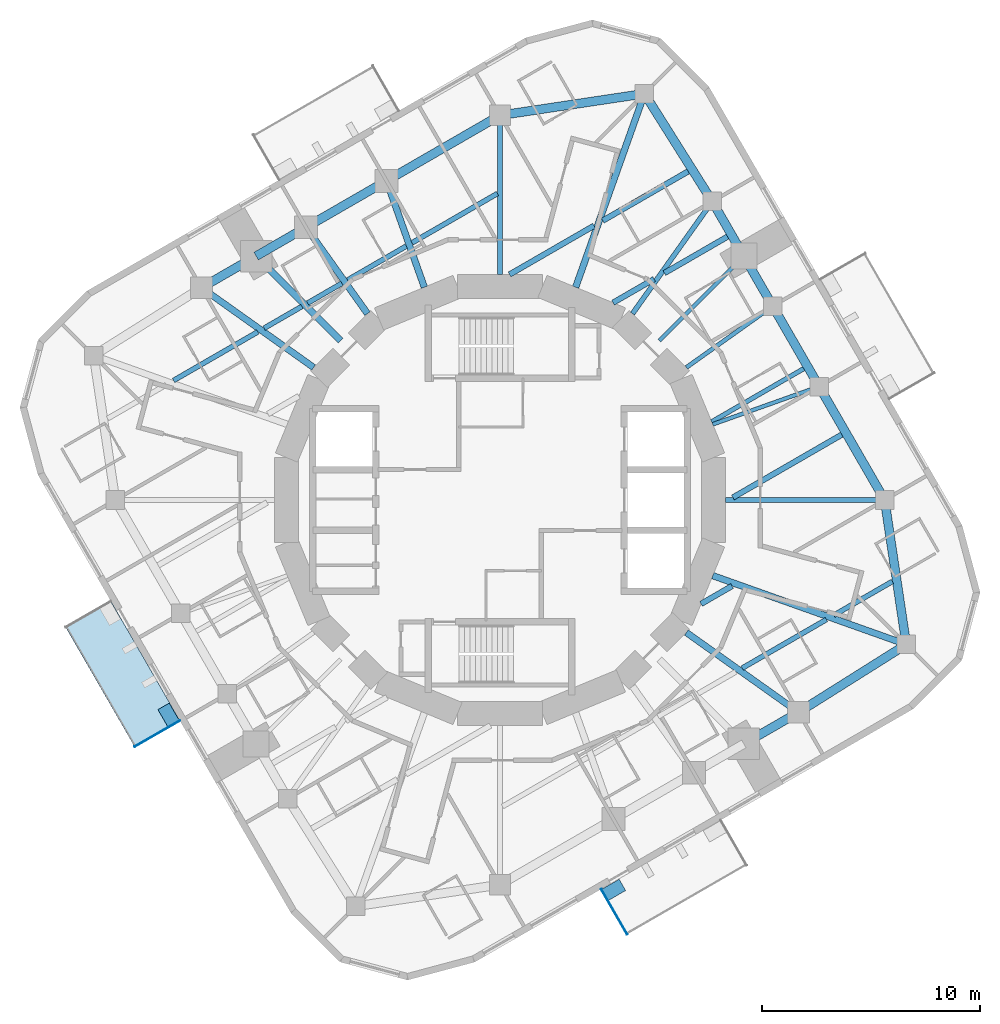
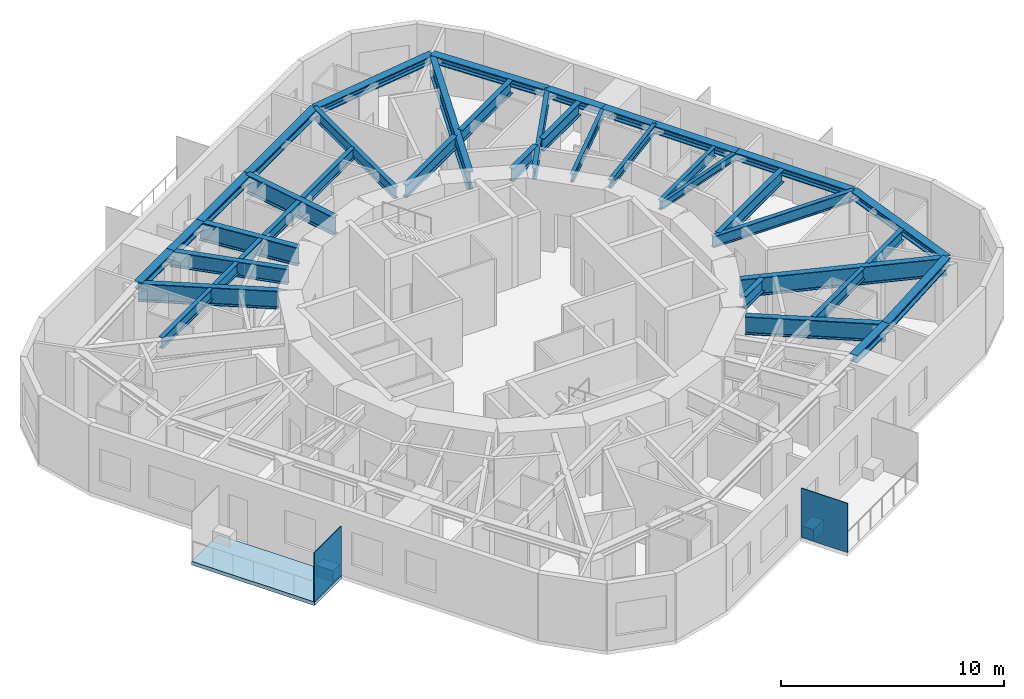
# One storey, part 2 of 11: 27 beams, 13 members, 4 plates, 1 slab.
"""IFC4 building model written with IfcOpenShell, lengths in metres."""

import ifcopenshell
import ifcopenshell.guid

model = None  # the IFC model being written
_history = None  # IfcOwnerHistory: only IFC2X3 demands one
_inside = {}  # id of a spatial element -> (the spatial element, [elements in it])
_under = {}  # id of a project, library or spatial element -> (it, [spatial elements below it])
_declared = {}  # id of a project -> (the project, [libraries it declares])
_typed = {}  # id of a type object -> (the type object, [elements of that type])
_made_of = {}  # id of a material, layer set ... -> (it, [elements and type objects made of it])


def new_model(schema):
    """Start an empty IFC model of exactly this schema.

    Asked for "IFC4X3", IfcOpenShell would pick the latest addendum, in which some entities
    have other attributes; the version numbers below select the first issue.
    IFC2X3 requires an IfcOwnerHistory on every rooted entity: one is made here for all.
    """
    global model, _history
    if schema == "IFC4X3":
        model = ifcopenshell.file(schema_version=(4, 3, 0, 0))
    else:
        model = ifcopenshell.file(schema=schema)
    _inside.clear()
    _under.clear()
    _declared.clear()
    _typed.clear()
    _made_of.clear()
    _history = None
    if model.schema == "IFC2X3":
        org = make("IfcOrganization", Name="unknown")
        user = make(
            "IfcPersonAndOrganization",
            ThePerson=make("IfcPerson", FamilyName="unknown"),
            TheOrganization=org,
        )
        app = make(
            "IfcApplication",
            ApplicationDeveloper=org,
            Version="unknown",
            ApplicationFullName="unknown",
            ApplicationIdentifier="unknown",
        )
        _history = make(
            "IfcOwnerHistory",
            OwningUser=user,
            OwningApplication=app,
            ChangeAction="ADDED",
            CreationDate=0,
        )
    return model


def make(cls, **values):
    """One entity of the class cls with the attributes given. An attribute that is None is left unset."""
    return model.create_entity(
        cls, **{name: value for name, value in values.items() if value is not None}
    )


def rooted(cls, **values):
    """An entity with a GlobalId (a new one), such as an element, a storey or a relation."""
    return make(cls, GlobalId=ifcopenshell.guid.new(), OwnerHistory=_history, **values)


def si_unit(unit_type, name, prefix=None):
    """IfcSIUnit, for example si_unit("LENGTHUNIT", "METRE", prefix="MILLI")."""
    return make("IfcSIUnit", UnitType=unit_type, Prefix=prefix, Name=name)


def assignment(units):
    """IfcUnitAssignment: the units of a project."""
    return None if units is None else make("IfcUnitAssignment", Units=units)


def point(xyz):
    """IfcCartesianPoint."""
    return None if xyz is None else make("IfcCartesianPoint", Coordinates=xyz)


def direction(xyz):
    """IfcDirection."""
    return None if xyz is None else make("IfcDirection", DirectionRatios=xyz)


def frame(location, z_axis=None, x_axis=None):
    """IfcAxis2Placement3D, a coordinate frame: its origin and axes. An axis left out is left unset."""
    return make(
        "IfcAxis2Placement3D",
        Location=point(location),
        Axis=direction(z_axis),
        RefDirection=direction(x_axis),
    )


def frame_2d(location, x_axis=None):
    """IfcAxis2Placement2D, a coordinate frame in the plane: its origin and x axis."""
    return make(
        "IfcAxis2Placement2D", Location=point(location), RefDirection=direction(x_axis)
    )


def origin():
    """The frame at (0, 0, 0) with its axes left unset."""
    return frame((0.0, 0.0, 0.0))


def origin_2d():
    """The frame at (0, 0) in the plane with its x axis left unset."""
    return frame_2d((0.0, 0.0))


def place(relative_to, where):
    """IfcLocalPlacement: puts the frame where relative to a parent placement (None: the world)."""
    return make(
        "IfcLocalPlacement", PlacementRelTo=relative_to, RelativePlacement=where
    )


def context(
    kind, dimensions, precision=None, world=None, true_north=None, identifier=None
):
    """IfcGeometricRepresentationContext, for example the 3D "Model" context."""
    return make(
        "IfcGeometricRepresentationContext",
        ContextIdentifier=identifier,
        ContextType=kind,
        CoordinateSpaceDimension=dimensions,
        Precision=precision,
        WorldCoordinateSystem=world,
        TrueNorth=true_north,
    )


def subcontext(parent, identifier, kind, view, scale=None):
    """IfcGeometricRepresentationSubContext, for example "Body" below "Model"."""
    return make(
        "IfcGeometricRepresentationSubContext",
        ContextIdentifier=identifier,
        ContextType=kind,
        ParentContext=parent,
        TargetScale=scale,
        TargetView=view,
    )


def project(units=None, contexts=None):
    """IfcProject with its units and contexts."""
    return rooted(
        "IfcProject",
        Name="project",
        RepresentationContexts=contexts,
        UnitsInContext=assignment(units),
    )


def spatial(cls, under=None, at=None, **own):
    """A site, building, storey or space (cls), placed at a placement, below another one or the project."""
    s = rooted(cls, ObjectPlacement=at, **own)
    if under is not None:
        _under.setdefault(under.id(), (under, []))[1].append(s)
    return s


def polyline(points):
    """IfcPolyline through the points."""
    return make("IfcPolyline", Points=[point(p) for p in points])


def profile(cls, at=None, kind="AREA", **sizes):
    """A parametric profile (cls). Its sizes go by their IFC names, for example OverallWidth=200.0."""
    return make(cls, ProfileType=kind, Position=at, **sizes)


def rectangle(**sizes):
    """IfcRectangleProfileDef."""
    return profile("IfcRectangleProfileDef", **sizes)


def i_section(**sizes):
    """IfcIShapeProfileDef."""
    return profile("IfcIShapeProfileDef", **sizes)


def outline(outer, holes=None, kind="AREA"):
    """IfcArbitraryClosedProfileDef: a profile drawn as a closed curve; with holes, ...WithVoids."""
    if holes is None:
        return make("IfcArbitraryClosedProfileDef", ProfileType=kind, OuterCurve=outer)
    return make(
        "IfcArbitraryProfileDefWithVoids",
        ProfileType=kind,
        OuterCurve=outer,
        InnerCurves=holes,
    )


def extrude(swept, where, along, depth):
    """IfcExtrudedAreaSolid: the profile swept, set in the frame where, extruded along a direction by depth."""
    return make(
        "IfcExtrudedAreaSolid",
        SweptArea=swept,
        Position=where,
        ExtrudedDirection=direction(along),
        Depth=depth,
    )


def shape(context_of_items, identifier, shape_type, items):
    """IfcShapeRepresentation: the items that make up one representation, for example the "Body"."""
    return make(
        "IfcShapeRepresentation",
        ContextOfItems=context_of_items,
        RepresentationIdentifier=identifier,
        RepresentationType=shape_type,
        Items=items,
    )


def material(Name=None, Category=None):
    """IfcMaterial."""
    return make("IfcMaterial", Name=Name, Category=Category)


def layer(
    of_material, thickness, ventilated=None, Name=None, Category=None, Priority=None
):
    """IfcMaterialLayer: one layer of a wall or slab, of a material (None: an air gap)."""
    return make(
        "IfcMaterialLayer",
        Material=of_material,
        LayerThickness=thickness,
        IsVentilated=ventilated,
        Name=Name,
        Category=Category,
        Priority=Priority,
    )


def layer_set(layers, Name=None):
    """IfcMaterialLayerSet."""
    return make("IfcMaterialLayerSet", MaterialLayers=layers, LayerSetName=Name)


def material_profile(
    of_material, cross_section, Name=None, Category=None, Priority=None
):
    """IfcMaterialProfile: a cross section and its material."""
    return make(
        "IfcMaterialProfile",
        Name=Name,
        Material=of_material,
        Profile=cross_section,
        Priority=Priority,
        Category=Category,
    )


def profile_set(profiles, Name=None, composite=None):
    """IfcMaterialProfileSet."""
    return make(
        "IfcMaterialProfileSet",
        Name=Name,
        MaterialProfiles=profiles,
        CompositeProfile=composite,
    )


def made_of(thing, what):
    """Note that an element or type object is made of a material, layer set ...; save() writes the relation."""
    if what is not None:
        _made_of.setdefault(what.id(), (what, []))[1].append(thing)
    return thing


def type_object(cls, material=None, **own):
    """A type object (cls), such as IfcWallType, which elements share."""
    return made_of(rooted(cls, **own), material)


def element(
    cls,
    number,
    at=None,
    inside=None,
    cuts=None,
    type_object=None,
    material=None,
    context=None,
    identifier="Body",
    shape_type=None,
    held_by="IfcProductDefinitionShape",
    body=None,
    shapes=None,
    **own,
):
    """One element of the class cls, such as IfcWall. Its Tag is "e" and its number.

    at: its placement. inside: the storey or other place that contains it. cuts: it is an
    opening in that element (IfcRelVoidsElement). A single representation is given by context,
    identifier, shape_type and body (its items); several are given by shapes. held_by: the class
    of the entity that holds the representations. save() writes the other relations.
    """
    e = rooted(cls, Tag="e%d" % number, ObjectPlacement=at, **own)
    if body is not None:
        shapes = [shape(context, identifier, shape_type, body)]
    if shapes is not None:
        e.Representation = make(held_by, Representations=shapes)
    if inside is not None:
        _inside.setdefault(inside.id(), (inside, []))[1].append(e)
    if cuts is not None:
        rooted(
            "IfcRelVoidsElement", RelatingBuildingElement=cuts, RelatedOpeningElement=e
        )
    if type_object is not None:
        _typed.setdefault(type_object.id(), (type_object, []))[1].append(e)
    return made_of(e, material)


def aggregate(whole, parts):
    """IfcRelAggregates: a whole, such as a stair, and the parts it consists of."""
    return rooted("IfcRelAggregates", RelatingObject=whole, RelatedObjects=parts)


def save(model, path):
    """Write the relations noted so far, then the file.

    IfcRelAggregates (storeys below a building ...), IfcRelContainedInSpatialStructure (elements
    in a storey), IfcRelDefinesByType, IfcRelAssociatesMaterial and IfcRelDeclares: one each for
    every whole, place, type object, material and project.
    """
    for whole, parts in _under.values():
        aggregate(whole, parts)
    for where, things in _inside.values():
        rooted(
            "IfcRelContainedInSpatialStructure",
            RelatedElements=things,
            RelatingStructure=where,
        )
    for kind, things in _typed.values():
        rooted("IfcRelDefinesByType", RelatedObjects=things, RelatingType=kind)
    for what, things in _made_of.values():
        rooted("IfcRelAssociatesMaterial", RelatedObjects=things, RelatingMaterial=what)
    for by, libraries in _declared.values():
        rooted("IfcRelDeclares", RelatingContext=by, RelatedDefinitions=libraries)
    model.write(path)


model = new_model("IFC4")

# Units and contexts
model_context = context("Model", 3, precision=1e-05, world=origin(), true_north=direction((0.0, 1.0)))
body_context = subcontext(model_context, "Body", "Model", "MODEL_VIEW")
ifc_project = project(units=[si_unit("LENGTHUNIT", "METRE"), si_unit("AREAUNIT", "SQUARE_METRE"), si_unit("VOLUMEUNIT", "CUBIC_METRE"), si_unit("PLANEANGLEUNIT", "RADIAN"), si_unit("MASSUNIT", "GRAM", prefix="KILO")], contexts=[model_context])

# Site, building, storey
site_placement = place(None, origin())
site = spatial("IfcSite", under=ifc_project, at=site_placement, CompositionType="ELEMENT")
building_placement = place(site_placement, origin())
building = spatial("IfcBuilding", under=site, at=building_placement, Name="Nakasero Lantern House", CompositionType="ELEMENT")
storey_placement = place(building_placement, frame((0.0, 0.0, 253.89990234375)))
storey = spatial("IfcBuildingStorey", under=building, at=storey_placement, Name="L62", CompositionType="ELEMENT", Elevation=253.89990234375)

# Members
ifc_material_1 = material(Name="Steel S355", Category="steel")
ifc_material_profile_1 = material_profile(ifc_material_1, i_section(OverallWidth=0.406982421875, OverallDepth=0.4189453125, WebThickness=0.030517578125, FlangeThickness=0.04931640625, FilletRadius=0.01513671875, at=origin_2d()), Name="UC 356x406x393")
ifc_profile_set_1 = profile_set([ifc_material_profile_1], Name="Steel S355")
member_type = type_object("IfcMemberType", Name="Belt truss chord UC 356x406x393", PredefinedType="CHORD", material=ifc_profile_set_1)
member_1_placement = place(storey_placement, frame((13.711669921875, -9.75048828125, 3.440673828125), z_axis=(0.846329027393, 0.532660471024, 0.0), x_axis=(-0.532660471024, 0.846329027393, 0.0)))
element("IfcMember", 1, at=member_1_placement, inside=storey, type_object=member_type, Name="Belt truss bottom chord T6 B6-C01", PredefinedType="CHORD", context=body_context, shape_type="SweptSolid", body=[
    extrude(i_section(OverallWidth=0.406982421875, OverallDepth=0.4189453125, WebThickness=0.030517578125, FlangeThickness=0.04931640625, FilletRadius=0.01513671875, at=origin_2d()), origin(), (0.0, 0.0, 1.0), 5.848388671875),
])
member_2_placement = place(storey_placement, frame((18.661376953125, -6.63525390625, 3.440673828125), z_axis=(-0.148208778253, 0.988956095107, 0.0), x_axis=(-0.988956095107, -0.148208778253, 0.0)))
element("IfcMember", 2, at=member_2_placement, inside=storey, type_object=member_type, Name="Belt truss bottom chord T6 B6-C02", PredefinedType="CHORD", context=body_context, shape_type="SweptSolid", body=[
    extrude(i_section(OverallWidth=0.406982421875, OverallDepth=0.4189453125, WebThickness=0.030517578125, FlangeThickness=0.04931640625, FilletRadius=0.01513671875, at=origin_2d()), origin(), (0.0, 0.0, 1.0), 6.70947265625),
])
member_3_placement = place(storey_placement, frame((17.6669921875, 0.0, 3.440673828125), z_axis=(-0.50000924366, 0.866020066889, 0.0), x_axis=(-0.866020066889, -0.50000924366, 0.0)))
element("IfcMember", 3, at=member_3_placement, inside=storey, type_object=member_type, Name="Belt truss bottom chord T6 B6-C03", PredefinedType="CHORD", context=body_context, shape_type="SweptSolid", body=[
    extrude(i_section(OverallWidth=0.406982421875, OverallDepth=0.4189453125, WebThickness=0.030517578125, FlangeThickness=0.04931640625, FilletRadius=0.01513671875, at=origin_2d()), origin(), (0.0, 0.0, 1.0), 6.01806640625),
])
member_4_placement = place(storey_placement, frame((14.657958984375, 5.211669921875, 3.440673828125), z_axis=(-0.500016352561, 0.866015962423, 0.0), x_axis=(-0.866015962423, -0.500016352561, 0.0)))
element("IfcMember", 4, at=member_4_placement, inside=storey, type_object=member_type, Name="Belt truss bottom chord T6 B6-C04", PredefinedType="CHORD", context=body_context, shape_type="SweptSolid", body=[
    extrude(i_section(OverallWidth=0.406982421875, OverallDepth=0.4189453125, WebThickness=0.030517578125, FlangeThickness=0.04931640625, FilletRadius=0.01513671875, at=origin_2d()), origin(), (0.0, 0.0, 1.0), 4.266357421875),
])
member_5_placement = place(storey_placement, frame((12.524658203125, 8.906494140625, 3.440673828125), z_axis=(-0.499945861543, 0.866056658381, 0.0), x_axis=(-0.866056658381, -0.499945861543, 0.0)))
element("IfcMember", 5, at=member_5_placement, inside=storey, type_object=member_type, Name="Belt truss bottom chord T6 B6-C05", PredefinedType="CHORD", context=body_context, shape_type="SweptSolid", body=[
    extrude(i_section(OverallWidth=0.406982421875, OverallDepth=0.4189453125, WebThickness=0.030517578125, FlangeThickness=0.04931640625, FilletRadius=0.01513671875, at=origin_2d()), origin(), (0.0, 0.0, 1.0), 2.648681640625),
])
member_6_placement = place(storey_placement, frame((11.200439453125, 11.200439453125, 3.440673828125), z_axis=(-0.500023687443, 0.866011727401, 0.0), x_axis=(-0.866011727401, -0.500023687443, 0.0)))
element("IfcMember", 6, at=member_6_placement, inside=storey, type_object=member_type, Name="Belt truss bottom chord T6 B6-C06", PredefinedType="CHORD", context=body_context, shape_type="SweptSolid", body=[
    extrude(i_section(OverallWidth=0.406982421875, OverallDepth=0.4189453125, WebThickness=0.030517578125, FlangeThickness=0.04931640625, FilletRadius=0.01513671875, at=origin_2d()), origin(), (0.0, 0.0, 1.0), 2.899658203125),
])
member_7_placement = place(storey_placement, frame((9.75048828125, 13.711669921875, 3.440673828125), z_axis=(-0.532660471024, 0.846329027393, 0.0), x_axis=(-0.846329027393, -0.532660471024, 0.0)))
element("IfcMember", 7, at=member_7_placement, inside=storey, type_object=member_type, Name="Belt truss bottom chord T6 B6-C07", PredefinedType="CHORD", context=body_context, shape_type="SweptSolid", body=[
    extrude(i_section(OverallWidth=0.406982421875, OverallDepth=0.4189453125, WebThickness=0.030517578125, FlangeThickness=0.04931640625, FilletRadius=0.01513671875, at=origin_2d()), origin(), (0.0, 0.0, 1.0), 5.848388671875),
])
member_8_placement = place(storey_placement, frame((6.63525390625, 18.661376953125, 3.440673828125), z_axis=(-0.988956095107, -0.148208778253, 0.0), x_axis=(0.148208778253, -0.988956095107, 0.0)))
element("IfcMember", 8, at=member_8_placement, inside=storey, type_object=member_type, Name="Belt truss bottom chord T6 B6-C08", PredefinedType="CHORD", context=body_context, shape_type="SweptSolid", body=[
    extrude(i_section(OverallWidth=0.406982421875, OverallDepth=0.4189453125, WebThickness=0.030517578125, FlangeThickness=0.04931640625, FilletRadius=0.01513671875, at=origin_2d()), origin(), (0.0, 0.0, 1.0), 6.70947265625),
])
member_9_placement = place(storey_placement, frame((0.0, 17.6669921875, 3.440673828125), z_axis=(-0.866020066889, -0.50000924366, 0.0), x_axis=(0.50000924366, -0.866020066889, 0.0)))
element("IfcMember", 9, at=member_9_placement, inside=storey, type_object=member_type, Name="Belt truss bottom chord T6 B6-C09", PredefinedType="CHORD", context=body_context, shape_type="SweptSolid", body=[
    extrude(i_section(OverallWidth=0.406982421875, OverallDepth=0.4189453125, WebThickness=0.030517578125, FlangeThickness=0.04931640625, FilletRadius=0.01513671875, at=origin_2d()), origin(), (0.0, 0.0, 1.0), 6.01806640625),
])
member_10_placement = place(storey_placement, frame((-5.211669921875, 14.657958984375, 3.440673828125), z_axis=(-0.866015962423, -0.500016352561, 0.0), x_axis=(0.500016352561, -0.866015962423, 0.0)))
element("IfcMember", 10, at=member_10_placement, inside=storey, type_object=member_type, Name="Belt truss bottom chord T6 B6-C10", PredefinedType="CHORD", context=body_context, shape_type="SweptSolid", body=[
    extrude(i_section(OverallWidth=0.406982421875, OverallDepth=0.4189453125, WebThickness=0.030517578125, FlangeThickness=0.04931640625, FilletRadius=0.01513671875, at=origin_2d()), origin(), (0.0, 0.0, 1.0), 4.266357421875),
])
member_11_placement = place(storey_placement, frame((-8.906494140625, 12.524658203125, 3.440673828125), z_axis=(-0.866056658381, -0.499945861543, 0.0), x_axis=(0.499945861543, -0.866056658381, 0.0)))
element("IfcMember", 11, at=member_11_placement, inside=storey, type_object=member_type, Name="Belt truss bottom chord T6 B6-C11", PredefinedType="CHORD", context=body_context, shape_type="SweptSolid", body=[
    extrude(i_section(OverallWidth=0.406982421875, OverallDepth=0.4189453125, WebThickness=0.030517578125, FlangeThickness=0.04931640625, FilletRadius=0.01513671875, at=origin_2d()), origin(), (0.0, 0.0, 1.0), 2.648681640625),
])
for number, where, z_axis, x_axis, name in (
    (12, (-11.200439453125, 11.200439453125, 3.440673828125), (-0.866011727401, -0.500023687443, 0.0), (0.500023687443, -0.866011727401, 0.0), "Belt truss bottom chord T6 B6-C12"),
    (13, (11.200439453125, -11.200439453125, 3.440673828125), (0.866011727401, 0.500023687443, 0.0), (-0.500023687443, 0.866011727401, 0.0), "Belt truss bottom chord T6 B6-C24"),
):
    element("IfcMember", number, at=place(storey_placement, frame(where, z_axis=z_axis, x_axis=x_axis)), inside=storey, type_object=member_type, Name=name, PredefinedType="CHORD", context=body_context, shape_type="SweptSolid", body=[
        extrude(i_section(OverallWidth=0.406982421875, OverallDepth=0.4189453125, WebThickness=0.030517578125, FlangeThickness=0.04931640625, FilletRadius=0.01513671875, at=origin_2d()), origin(), (0.0, 0.0, 1.0), 2.899658203125),
    ])

# Beams
ifc_material_2 = material(Name="Steel S355", Category="steel")
ifc_material_profile_2 = material_profile(ifc_material_2, i_section(OverallWidth=0.208740234375, OverallDepth=0.5283203125, WebThickness=0.009521484375, FlangeThickness=0.01318359375, FilletRadius=0.0126953125, at=origin_2d()), Name="UB 533x210x82")
ifc_profile_set_2 = profile_set([ifc_material_profile_2], Name="Steel S355")
beam_type_1 = type_object("IfcBeamType", Name="Infill beam UB 533x210x82", PredefinedType="JOIST", material=ifc_profile_set_2)
beam_1_placement = place(storey_placement, frame((9.72314453125, 3.5927734375, 3.385986328125), z_axis=(0.866011447264, 0.500024172624, 0.0), x_axis=(-0.500024172624, 0.866011447264, 0.0)))
element("IfcBeam", 14, at=beam_1_placement, inside=storey, type_object=beam_type_1, Name="Infill beam L63 06.1", PredefinedType="JOIST", context=body_context, shape_type="SweptSolid", body=[
    extrude(i_section(OverallWidth=0.208740234375, OverallDepth=0.5283203125, WebThickness=0.009521484375, FlangeThickness=0.01318359375, FilletRadius=0.0126953125, at=origin_2d()), origin(), (0.0, 0.0, 1.0), 4.879638671875),
])
ifc_material_3 = material(Name="Steel S355", Category="steel")
ifc_material_profile_3 = material_profile(ifc_material_3, i_section(OverallWidth=0.22900390625, OverallDepth=0.6123046875, WebThickness=0.011962890625, FlangeThickness=0.01953125, FilletRadius=0.0126953125, at=origin_2d()), Name="UB 610x229x125")
ifc_profile_set_3 = profile_set([ifc_material_profile_3], Name="Steel S355")
beam_type_2 = type_object("IfcBeamType", Name="Infill beam UB 610x229x125", PredefinedType="JOIST", material=ifc_profile_set_3)
beam_2_placement = place(storey_placement, frame((11.12109375, -7.724365234375, 3.343994140625), z_axis=(0.86600911045, 0.500028219822, 0.0), x_axis=(-0.500028219822, 0.86600911045, 0.0)))
element("IfcBeam", 15, at=beam_2_placement, inside=storey, type_object=beam_type_2, Name="Infill beam L63 03.5", PredefinedType="JOIST", context=body_context, shape_type="SweptSolid", body=[
    extrude(i_section(OverallWidth=0.22900390625, OverallDepth=0.6123046875, WebThickness=0.011962890625, FlangeThickness=0.01953125, FilletRadius=0.0126953125, at=origin_2d()), origin(), (0.0, 0.0, 1.0), 4.469482421875),
])
beam_3_placement = place(storey_placement, frame((15.3330078125, -5.29248046875, 3.343994140625), z_axis=(0.866037611359, 0.499978855264, 0.0), x_axis=(-0.499978855264, 0.866037611359, 0.0)))
element("IfcBeam", 16, at=beam_3_placement, inside=storey, type_object=beam_type_2, Name="Infill beam L63 03.6", PredefinedType="JOIST", context=body_context, shape_type="SweptSolid", body=[
    extrude(i_section(OverallWidth=0.22900390625, OverallDepth=0.6123046875, WebThickness=0.011962890625, FlangeThickness=0.01953125, FilletRadius=0.0126953125, at=origin_2d()), origin(), (0.0, 0.0, 1.0), 3.104736328125),
])
beam_4_placement = place(storey_placement, frame((-14.99169921875, 5.489501953125, 3.343994140625), z_axis=(0.86600911045, 0.500028219822, 0.0), x_axis=(-0.500028219822, 0.86600911045, 0.0)))
element("IfcBeam", 17, at=beam_4_placement, inside=storey, type_object=beam_type_2, Name="Infill beam L63 10.2", PredefinedType="JOIST", context=body_context, shape_type="SweptSolid", body=[
    extrude(i_section(OverallWidth=0.22900390625, OverallDepth=0.6123046875, WebThickness=0.011962890625, FlangeThickness=0.01953125, FilletRadius=0.0126953125, at=origin_2d()), origin(), (0.0, 0.0, 1.0), 4.469482421875),
])
beam_5_placement = place(storey_placement, frame((-10.83544921875, 7.88916015625, 3.343994140625), z_axis=(0.866039626416, 0.499975364871, 0.0), x_axis=(-0.499975364871, 0.866039626416, 0.0)))
element("IfcBeam", 18, at=beam_5_placement, inside=storey, type_object=beam_type_2, Name="Infill beam L63 10.3", PredefinedType="JOIST", context=body_context, shape_type="SweptSolid", body=[
    extrude(i_section(OverallWidth=0.22900390625, OverallDepth=0.6123046875, WebThickness=0.011962890625, FlangeThickness=0.01953125, FilletRadius=0.0126953125, at=origin_2d()), origin(), (0.0, 0.0, 1.0), 2.00537109375),
])
beam_6_placement = place(storey_placement, frame((-8.83642578125, 9.043212890625, 3.343994140625), z_axis=(0.865977542148, 0.500082889625, 0.0), x_axis=(-0.500082889625, 0.865977542148, 0.0)))
element("IfcBeam", 19, at=beam_6_placement, inside=storey, type_object=beam_type_2, Name="Infill beam L63 10.4", PredefinedType="JOIST", context=body_context, shape_type="SweptSolid", body=[
    extrude(i_section(OverallWidth=0.22900390625, OverallDepth=0.6123046875, WebThickness=0.011962890625, FlangeThickness=0.01953125, FilletRadius=0.0126953125, at=origin_2d()), origin(), (0.0, 0.0, 1.0), 1.817626953125),
])
beam_7_placement = place(storey_placement, frame((-6.999755859375, 10.103759765625, 3.343994140625), z_axis=(0.866018346476, 0.500012223418, 0.0), x_axis=(-0.500012223418, 0.866018346476, 0.0)))
element("IfcBeam", 20, at=beam_7_placement, inside=storey, type_object=beam_type_2, Name="Infill beam L63 10.5", PredefinedType="JOIST", context=body_context, shape_type="SweptSolid", body=[
    extrude(i_section(OverallWidth=0.22900390625, OverallDepth=0.6123046875, WebThickness=0.011962890625, FlangeThickness=0.01953125, FilletRadius=0.0126953125, at=origin_2d()), origin(), (0.0, 0.0, 1.0), 3.11181640625),
])
beam_8_placement = place(storey_placement, frame((-4.040771484375, 11.812255859375, 3.343994140625), z_axis=(0.866047486323, 0.49996174997, 0.0), x_axis=(-0.49996174997, 0.866047486323, 0.0)))
element("IfcBeam", 21, at=beam_8_placement, inside=storey, type_object=beam_type_2, Name="Infill beam L63 10.6", PredefinedType="JOIST", context=body_context, shape_type="SweptSolid", body=[
    extrude(i_section(OverallWidth=0.22900390625, OverallDepth=0.6123046875, WebThickness=0.011962890625, FlangeThickness=0.01953125, FilletRadius=0.0126953125, at=origin_2d()), origin(), (0.0, 0.0, 1.0), 4.533447265625),
])
ifc_material_4 = material(Name="Steel S355", Category="steel")
ifc_material_profile_4 = material_profile(ifc_material_4, i_section(OverallWidth=0.255859375, OverallDepth=0.69287109375, WebThickness=0.014404296875, FlangeThickness=0.023681640625, FilletRadius=0.01513671875, at=origin_2d()), Name="UB 686x254x170")
ifc_profile_set_4 = profile_set([ifc_material_profile_4], Name="Steel S355")
beam_type_3 = type_object("IfcBeamType", Name="Infill beam UB 686x254x170", PredefinedType="JOIST", material=ifc_profile_set_4)
beam_9_placement = place(storey_placement, frame((9.234619140625, -4.77197265625, 3.3037109375), z_axis=(0.866024987556, 0.500000720929, 0.0), x_axis=(-0.500000720929, 0.866024987556, 0.0)))
element("IfcBeam", 22, at=beam_9_placement, inside=storey, type_object=beam_type_3, Name="Infill beam L63 04.3", PredefinedType="JOIST", context=body_context, shape_type="SweptSolid", body=[
    extrude(i_section(OverallWidth=0.255859375, OverallDepth=0.69287109375, WebThickness=0.014404296875, FlangeThickness=0.023681640625, FilletRadius=0.01513671875, at=origin_2d()), origin(), (0.0, 0.0, 1.0), 1.6455078125),
])
beam_10_placement = place(storey_placement, frame((10.6982421875, 0.114501953125, 3.3037109375), z_axis=(0.866022942541, 0.500004262974, 0.0), x_axis=(-0.500004262974, 0.866022942541, 0.0)))
element("IfcBeam", 23, at=beam_10_placement, inside=storey, type_object=beam_type_3, Name="Infill beam L63 05.3", PredefinedType="JOIST", context=body_context, shape_type="SweptSolid", body=[
    extrude(i_section(OverallWidth=0.255859375, OverallDepth=0.69287109375, WebThickness=0.014404296875, FlangeThickness=0.023681640625, FilletRadius=0.01513671875, at=origin_2d()), origin(), (0.0, 0.0, 1.0), 5.7744140625),
])
beam_11_placement = place(storey_placement, frame((5.19287109375, 9.060302734375, 3.3037109375), z_axis=(0.866017369001, 0.500013916395, 0.0), x_axis=(-0.500013916395, 0.866017369001, 0.0)))
element("IfcBeam", 24, at=beam_11_placement, inside=storey, type_object=beam_type_3, Name="Infill beam L63 08.2", PredefinedType="JOIST", context=body_context, shape_type="SweptSolid", body=[
    extrude(i_section(OverallWidth=0.255859375, OverallDepth=0.69287109375, WebThickness=0.014404296875, FlangeThickness=0.023681640625, FilletRadius=0.01513671875, at=origin_2d()), origin(), (0.0, 0.0, 1.0), 2.17529296875),
])
beam_12_placement = place(storey_placement, frame((7.550537109375, 10.42138671875, 3.3037109375), z_axis=(0.866003368332, 0.500038164582, 0.0), x_axis=(-0.500038164582, 0.866003368332, 0.0)))
element("IfcBeam", 25, at=beam_12_placement, inside=storey, type_object=beam_type_3, Name="Infill beam L63 08.3", PredefinedType="JOIST", context=body_context, shape_type="SweptSolid", body=[
    extrude(i_section(OverallWidth=0.255859375, OverallDepth=0.69287109375, WebThickness=0.014404296875, FlangeThickness=0.023681640625, FilletRadius=0.01513671875, at=origin_2d()), origin(), (0.0, 0.0, 1.0), 3.346923828125),
])
beam_13_placement = place(storey_placement, frame((0.4404296875, 10.35791015625, 3.3037109375), z_axis=(0.866017690131, 0.500013360201, 0.0), x_axis=(-0.500013360201, 0.866017690131, 0.0)))
element("IfcBeam", 26, at=beam_13_placement, inside=storey, type_object=beam_type_3, Name="Infill beam L63 09.2", PredefinedType="JOIST", context=body_context, shape_type="SweptSolid", body=[
    extrude(i_section(OverallWidth=0.255859375, OverallDepth=0.69287109375, WebThickness=0.014404296875, FlangeThickness=0.023681640625, FilletRadius=0.01513671875, at=origin_2d()), origin(), (0.0, 0.0, 1.0), 4.47998046875),
])
beam_14_placement = place(storey_placement, frame((4.720703125, 12.8291015625, 3.3037109375), z_axis=(0.866014036527, 0.500019688151, 0.0), x_axis=(-0.500019688151, 0.866014036527, 0.0)))
element("IfcBeam", 27, at=beam_14_placement, inside=storey, type_object=beam_type_3, Name="Infill beam L63 09.3", PredefinedType="JOIST", context=body_context, shape_type="SweptSolid", body=[
    extrude(i_section(OverallWidth=0.255859375, OverallDepth=0.69287109375, WebThickness=0.014404296875, FlangeThickness=0.023681640625, FilletRadius=0.01513671875, at=origin_2d()), origin(), (0.0, 0.0, 1.0), 4.526611328125),
])
ifc_material_5 = material(Name="Steel S355", Category="steel")
ifc_material_profile_5 = material_profile(ifc_material_5, i_section(OverallWidth=0.300048828125, OverallDepth=0.97998046875, WebThickness=0.0166015625, FlangeThickness=0.02587890625, FilletRadius=0.030029296875, at=origin_2d()), Name="UB 1016x305x249")
ifc_profile_set_5 = profile_set([ifc_material_profile_5], Name="Steel S355")
beam_type_4 = type_object("IfcBeamType", Name="Primary beam UB 1016x305x249, span 9 to 12 m", PredefinedType="BEAM", material=ifc_profile_set_5)
for number, where, z_axis, x_axis, name in (
    (28, (18.661376953125, -6.63525390625, 3.16015625), (-0.942215779364, 0.335006604588, 0.0), (-0.335006604588, -0.942215779364, 0.0), "Primary beam L63 B6-C02"),
    (29, (6.63525390625, 18.661376953125, 3.16015625), (-0.335006604588, -0.942215779364, 0.0), (0.942215779364, -0.335006604588, 0.0), "Primary beam L63 B6-C08"),
):
    element("IfcBeam", number, at=place(storey_placement, frame(where, z_axis=z_axis, x_axis=x_axis)), inside=storey, type_object=beam_type_4, Name=name, PredefinedType="BEAM", context=body_context, shape_type="SweptSolid", body=[
        extrude(i_section(OverallWidth=0.300048828125, OverallDepth=0.97998046875, WebThickness=0.0166015625, FlangeThickness=0.02587890625, FilletRadius=0.030029296875, at=origin_2d()), origin(), (0.0, 0.0, 1.0), 9.4345703125),
    ])
ifc_material_6 = material(Name="Steel S355", Category="steel")
ifc_material_profile_6 = material_profile(ifc_material_6, i_section(OverallWidth=0.300048828125, OverallDepth=0.989990234375, WebThickness=0.0166015625, FlangeThickness=0.031005859375, FilletRadius=0.030029296875, at=origin_2d()), Name="UB 1016x305x272")
ifc_profile_set_6 = profile_set([ifc_material_profile_6], Name="Steel S355")
beam_type_5 = type_object("IfcBeamType", Name="Primary beam UB 1016x305x272, span 6 to 9 m", PredefinedType="BEAM", material=ifc_profile_set_6)
for number, where, z_axis, x_axis, name in (
    (30, (13.711669921875, -9.75048828125, 3.155029296875), (-0.814968702178, 0.579504973637, 0.0), (-0.579504973637, -0.814968702178, 0.0), "Primary beam L63 B6-C01"),
    (31, (-13.711669921875, 9.75048828125, 3.155029296875), (0.814968702178, -0.579504973637, 0.0), (0.579504973637, 0.814968702178, 0.0), "Primary beam L63 B6-C13"),
):
    element("IfcBeam", number, at=place(storey_placement, frame(where, z_axis=z_axis, x_axis=x_axis)), inside=storey, type_object=beam_type_5, Name=name, PredefinedType="BEAM", context=body_context, shape_type="SweptSolid", body=[
        extrude(i_section(OverallWidth=0.300048828125, OverallDepth=0.989990234375, WebThickness=0.0166015625, FlangeThickness=0.031005859375, FilletRadius=0.030029296875, at=origin_2d()), origin(), (0.0, 0.0, 1.0), 6.320556640625),
    ])
ifc_material_7 = material(Name="Steel S355", Category="steel")
ifc_material_profile_7 = material_profile(ifc_material_7, i_section(OverallWidth=0.300048828125, OverallDepth=1.0, WebThickness=0.01904296875, FlangeThickness=0.035888671875, FilletRadius=0.030029296875, at=origin_2d()), Name="UB 1016x305x314")
ifc_profile_set_7 = profile_set([ifc_material_profile_7], Name="Steel S355")
beam_type_6 = type_object("IfcBeamType", Name="Primary beam UB 1016x305x314, span to 6 m", PredefinedType="BEAM", material=ifc_profile_set_7)
beam_15_placement = place(storey_placement, frame((-5.211669921875, 14.657958984375, 3.150146484375), z_axis=(0.334979016533, -0.942225587894, 0.0), x_axis=(0.942225587894, 0.334979016533, 0.0)))
element("IfcBeam", 32, at=beam_15_placement, inside=storey, type_object=beam_type_6, Name="Primary beam L63 B6-C10", PredefinedType="BEAM", context=body_context, shape_type="SweptSolid", body=[
    extrude(i_section(OverallWidth=0.300048828125, OverallDepth=1.0, WebThickness=0.01904296875, FlangeThickness=0.035888671875, FilletRadius=0.030029296875, at=origin_2d()), origin(), (0.0, 0.0, 1.0), 5.185546875),
])
ifc_material_8 = material(Name="Steel S355", Category="steel")
ifc_material_profile_8 = material_profile(ifc_material_8, i_section(OverallWidth=0.302001953125, OverallDepth=1.008056640625, WebThickness=0.02099609375, FlangeThickness=0.0400390625, FilletRadius=0.030029296875, at=origin_2d()), Name="UB 1016x305x349")
ifc_profile_set_8 = profile_set([ifc_material_profile_8], Name="Steel S355")
beam_type_7 = type_object("IfcBeamType", Name="Primary beam UB 1016x305x349, span to 6 m", PredefinedType="BEAM", material=ifc_profile_set_8)
beam_16_placement = place(storey_placement, frame((-8.906494140625, 12.524658203125, 3.14599609375), z_axis=(0.579513415446, -0.814962699342, 0.0), x_axis=(0.814962699342, 0.579513415446, 0.0)))
element("IfcBeam", 33, at=beam_16_placement, inside=storey, type_object=beam_type_7, Name="Primary beam L63 B6-C11", PredefinedType="BEAM", context=body_context, shape_type="SweptSolid", body=[
    extrude(i_section(OverallWidth=0.302001953125, OverallDepth=1.008056640625, WebThickness=0.02099609375, FlangeThickness=0.0400390625, FilletRadius=0.030029296875, at=origin_2d()), origin(), (0.0, 0.0, 1.0), 4.8642578125),
])
ifc_material_9 = material(Name="Steel S355", Category="steel")
ifc_material_profile_9 = material_profile(ifc_material_9, i_section(OverallWidth=0.177978515625, OverallDepth=0.406494140625, WebThickness=0.0078125, FlangeThickness=0.0126953125, FilletRadius=0.01025390625, at=origin_2d()), Name="UB 406x178x60")
ifc_profile_set_9 = profile_set([ifc_material_profile_9], Name="Steel S355")
beam_type_8 = type_object("IfcBeamType", Name="Primary beam UB 406x178x60, span to 6 m", PredefinedType="BEAM", material=ifc_profile_set_9)
beam_17_placement = place(storey_placement, frame((14.657958984375, 5.211669921875, 3.44677734375), z_axis=(-0.942225587894, -0.334979016533, 0.0), x_axis=(0.334979016533, -0.942225587894, 0.0)))
element("IfcBeam", 34, at=beam_17_placement, inside=storey, type_object=beam_type_8, Name="Primary beam L63 B6-C04", PredefinedType="BEAM", context=body_context, shape_type="SweptSolid", body=[
    extrude(i_section(OverallWidth=0.177978515625, OverallDepth=0.406494140625, WebThickness=0.0078125, FlangeThickness=0.0126953125, FilletRadius=0.01025390625, at=origin_2d()), origin(), (0.0, 0.0, 1.0), 5.185546875),
])
ifc_material_10 = material(Name="Steel S355", Category="steel")
ifc_material_profile_10 = material_profile(ifc_material_10, i_section(OverallWidth=0.18994140625, OverallDepth=0.453369140625, WebThickness=0.008544921875, FlangeThickness=0.0126953125, FilletRadius=0.01025390625, at=origin_2d()), Name="UB 457x191x67")
ifc_profile_set_10 = profile_set([ifc_material_profile_10], Name="Steel S355")
beam_type_9 = type_object("IfcBeamType", Name="Primary beam UB 457x191x67, span to 6 m", PredefinedType="BEAM", material=ifc_profile_set_10)
beam_18_placement = place(storey_placement, frame((11.200439453125, 11.200439453125, 3.42333984375), z_axis=(-0.707106781187, -0.707106781187, 0.0), x_axis=(0.707106781187, -0.707106781187, 0.0)))
element("IfcBeam", 35, at=beam_18_placement, inside=storey, type_object=beam_type_9, Name="Primary beam L63 B6-C06", PredefinedType="BEAM", context=body_context, shape_type="SweptSolid", body=[
    extrude(i_section(OverallWidth=0.18994140625, OverallDepth=0.453369140625, WebThickness=0.008544921875, FlangeThickness=0.0126953125, FilletRadius=0.01025390625, at=origin_2d()), origin(), (0.0, 0.0, 1.0), 5.481689453125),
])
ifc_material_11 = material(Name="Steel S355", Category="steel")
ifc_material_profile_11 = material_profile(ifc_material_11, i_section(OverallWidth=0.19140625, OverallDepth=0.4599609375, WebThickness=0.010009765625, FlangeThickness=0.01611328125, FilletRadius=0.01025390625, at=origin_2d()), Name="UB 457x191x82")
ifc_profile_set_11 = profile_set([ifc_material_profile_11], Name="Steel S355")
beam_type_10 = type_object("IfcBeamType", Name="Primary beam UB 457x191x82, span to 6 m", PredefinedType="BEAM", material=ifc_profile_set_11)
beam_19_placement = place(storey_placement, frame((12.524658203125, 8.906494140625, 3.420166015625), z_axis=(-0.814962699342, -0.579513415446, 0.0), x_axis=(0.579513415446, -0.814962699342, 0.0)))
element("IfcBeam", 36, at=beam_19_placement, inside=storey, type_object=beam_type_10, Name="Primary beam L63 B6-C05", PredefinedType="BEAM", context=body_context, shape_type="SweptSolid", body=[
    extrude(i_section(OverallWidth=0.19140625, OverallDepth=0.4599609375, WebThickness=0.010009765625, FlangeThickness=0.01611328125, FilletRadius=0.01025390625, at=origin_2d()), origin(), (0.0, 0.0, 1.0), 4.8642578125),
])
ifc_material_12 = material(Name="Steel S355", Category="steel")
ifc_material_profile_12 = material_profile(ifc_material_12, i_section(OverallWidth=0.2275390625, OverallDepth=0.6025390625, WebThickness=0.010498046875, FlangeThickness=0.014892578125, FilletRadius=0.0126953125, at=origin_2d()), Name="UB 610x229x101")
ifc_profile_set_12 = profile_set([ifc_material_profile_12], Name="Steel S355")
beam_type_11 = type_object("IfcBeamType", Name="Primary beam UB 610x229x101, span 6 to 9 m", PredefinedType="BEAM", material=ifc_profile_set_12)
beam_20_placement = place(storey_placement, frame((9.75048828125, 13.711669921875, 3.348876953125), z_axis=(-0.579504973637, -0.814968702178, 0.0), x_axis=(0.814968702178, -0.579504973637, 0.0)))
element("IfcBeam", 37, at=beam_20_placement, inside=storey, type_object=beam_type_11, Name="Primary beam L63 B6-C07", PredefinedType="BEAM", context=body_context, shape_type="SweptSolid", body=[
    extrude(i_section(OverallWidth=0.2275390625, OverallDepth=0.6025390625, WebThickness=0.010498046875, FlangeThickness=0.014892578125, FilletRadius=0.0126953125, at=origin_2d()), origin(), (0.0, 0.0, 1.0), 6.320556640625),
])
ifc_material_13 = material(Name="Steel S355", Category="steel")
ifc_material_profile_13 = material_profile(ifc_material_13, i_section(OverallWidth=0.22900390625, OverallDepth=0.6123046875, WebThickness=0.011962890625, FlangeThickness=0.01953125, FilletRadius=0.0126953125, at=origin_2d()), Name="UB 610x229x125")
ifc_profile_set_13 = profile_set([ifc_material_profile_13], Name="Steel S355")
beam_type_12 = type_object("IfcBeamType", Name="Primary beam UB 610x229x125, span 6 to 9 m", PredefinedType="BEAM", material=ifc_profile_set_13)
for number, where, z_axis, x_axis, name in (
    (38, (17.6669921875, 0.0, 3.343994140625), (-1.0, 0.0, 0.0), (0.0, -1.0, 0.0), "Primary beam L63 B6-C03"),
    (39, (0.0, 17.6669921875, 3.343994140625), (0.0, -1.0, 0.0), (1.0, 0.0, 0.0), "Primary beam L63 B6-C09"),
):
    element("IfcBeam", number, at=place(storey_placement, frame(where, z_axis=z_axis, x_axis=x_axis)), inside=storey, type_object=beam_type_12, Name=name, PredefinedType="BEAM", context=body_context, shape_type="SweptSolid", body=[
        extrude(i_section(OverallWidth=0.22900390625, OverallDepth=0.6123046875, WebThickness=0.011962890625, FlangeThickness=0.01953125, FilletRadius=0.0126953125, at=origin_2d()), origin(), (0.0, 0.0, 1.0), 7.30908203125),
    ])
ifc_material_14 = material(Name="Steel S355", Category="steel")
ifc_material_profile_14 = material_profile(ifc_material_14, i_section(OverallWidth=0.29248046875, OverallDepth=0.8408203125, WebThickness=0.0146484375, FlangeThickness=0.02685546875, FilletRadius=0.017822265625, at=origin_2d()), Name="UB 838x292x194")
ifc_profile_set_14 = profile_set([ifc_material_profile_14], Name="Steel S355")
beam_type_13 = type_object("IfcBeamType", Name="Primary beam UB 838x292x194, span to 6 m", PredefinedType="BEAM", material=ifc_profile_set_14)
beam_21_placement = place(storey_placement, frame((-11.200439453125, 11.200439453125, 3.229736328125), z_axis=(0.707106781187, -0.707106781187, 0.0), x_axis=(0.707106781187, 0.707106781187, 0.0)))
element("IfcBeam", 40, at=beam_21_placement, inside=storey, type_object=beam_type_13, Name="Primary beam L63 B6-C12", PredefinedType="BEAM", context=body_context, shape_type="SweptSolid", body=[
    extrude(i_section(OverallWidth=0.29248046875, OverallDepth=0.8408203125, WebThickness=0.0146484375, FlangeThickness=0.02685546875, FilletRadius=0.017822265625, at=origin_2d()), origin(), (0.0, 0.0, 1.0), 5.481689453125),
])

# Plates
ifc_material_15 = material(Name="Aluminium 6063-T6", Category="aluminium")
ifc_layer_1 = layer(ifc_material_15, 0.60009765625)
ifc_layer_set_1 = layer_set([ifc_layer_1], Name="Balcony planter 600x900")
plate_type_1 = type_object("IfcPlateType", Name="Balcony planter 600x900", PredefinedType="USERDEFINED", material=ifc_layer_set_1)
for number, where, z_axis, x_axis, name in (
    (41, (-15.225830078125, -9.867919921875, 0.0), (0.0, 0.0, 1.0), (-0.866025403784, -0.5, 0.0), "Balcony PLANTER L62 BAL2B"),
    (42, (5.2333984375, -17.901611328125, 0.0), (0.0, 0.0, 1.0), (0.5, -0.866025403784, 0.0), "Balcony PLANTER L62 BAL3A"),
):
    element("IfcPlate", number, at=place(storey_placement, frame(where, z_axis=z_axis, x_axis=x_axis)), inside=storey, type_object=plate_type_1, Name=name, ObjectType="PLANTER", PredefinedType="USERDEFINED", context=body_context, shape_type="SweptSolid", body=[
        extrude(rectangle(XDim=0.60009765625, YDim=0.89990234375, at=origin_2d()), origin(), (0.0, 0.0, 1.0), 0.60009765625),
    ])
ifc_material_16 = material(Name="Aluminium 6063-T6", Category="aluminium")
ifc_layer_2 = layer(ifc_material_16, 0.0400390625)
ifc_layer_set_2 = layer_set([ifc_layer_2], Name="Balcony screen 2400x2700")
plate_type_2 = type_object("IfcPlateType", Name="Balcony screen 2400x2700", PredefinedType="SHEET", material=ifc_layer_set_2)
for number, where, z_axis, x_axis, name in (
    (43, (-15.7431640625, -10.732177734375, 0.0), (0.0, 0.0, 1.0), (-0.866025403784, -0.5, 0.0), "Balcony SCREEN L62 BAL2B"),
    (44, (5.2490234375, -18.90869140625, 0.0), (0.0, 0.0, 1.0), (0.5, -0.866025403784, 0.0), "Balcony SCREEN L62 BAL3A"),
):
    element("IfcPlate", number, at=place(storey_placement, frame(where, z_axis=z_axis, x_axis=x_axis)), inside=storey, type_object=plate_type_2, Name=name, PredefinedType="SHEET", context=body_context, shape_type="SweptSolid", body=[
        extrude(rectangle(XDim=2.39990234375, YDim=0.0400390625, at=origin_2d()), origin(), (0.0, 0.0, 1.0), 2.699951171875),
    ])

# Slab
ifc_material_17 = material(Name="Concrete C35/45", Category="concrete")
ifc_layer_3 = layer(ifc_material_17, 0.199951171875)
ifc_layer_set_3 = layer_set([ifc_layer_3], Name="Balcony slab 200")
slab_type = type_object("IfcSlabType", Name="Balcony slab 200", PredefinedType="USERDEFINED", material=ifc_layer_set_3)
slab_placement = place(storey_placement, frame((0.0, 0.0, -0.199951171875)))
element("IfcSlab", 45, at=slab_placement, inside=storey, type_object=slab_type, Name="Balcony L62 BAL2", ObjectType="BALCONY", PredefinedType="USERDEFINED", context=body_context, shape_type="SweptSolid", body=[
    extrude(outline(polyline([(-17.879638671875, -4.6318359375), (-19.9580078125, -5.831787109375), (-16.772216796875, -11.349609375), (-14.69384765625, -10.149658203125), (-17.879638671875, -4.6318359375)])), origin(), (0.0, 0.0, 1.0), 0.199951171875),
])

save(model, "model.ifc")
